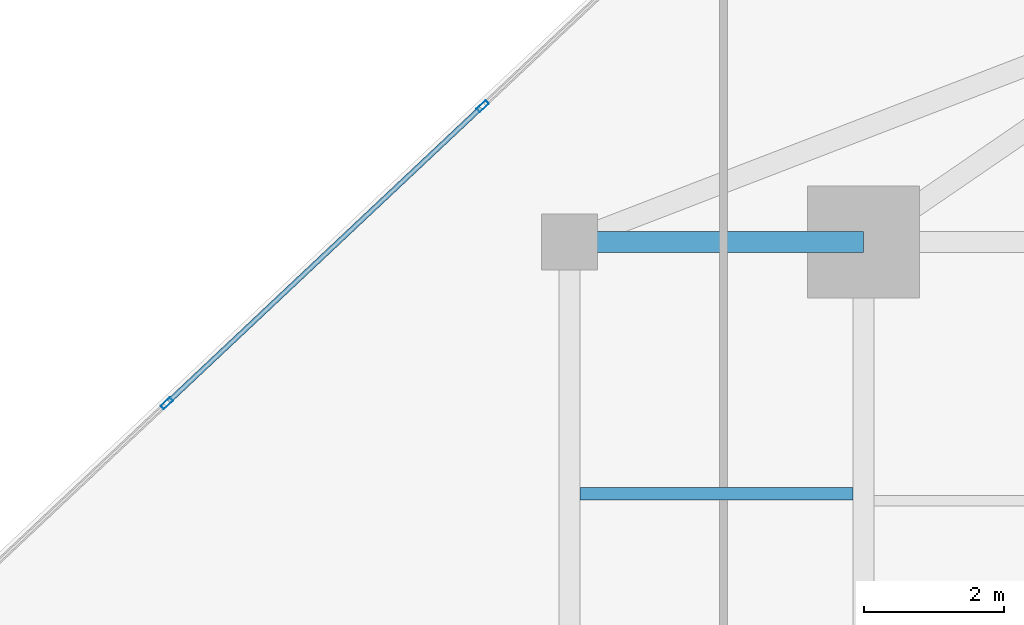
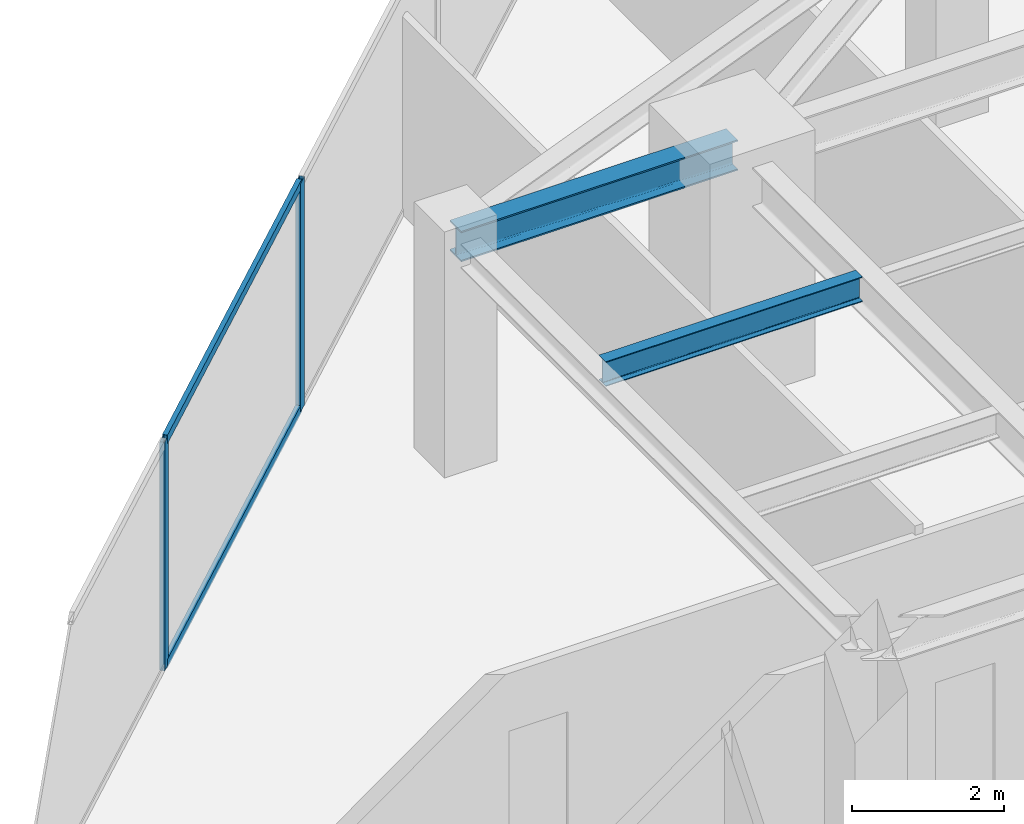
# One storey, part 13 of 25: 4 members, 2 beams, 1 element without a shape of its own.
"""IFC4 building model written with IfcOpenShell, lengths in metres."""

from ifc_helpers import new_model, si_unit, direction, frame, origin, origin_2d, place, context, subcontext, project, spatial, hollow_rectangle, i_section, extrude, source, transform, mapped, material, material_profile, profile_set, type_object, type_shapes, element, aggregate, save


model = new_model("IFC4")

# Units and contexts
model_context = context("Model", 3, precision=1e-05, world=origin(), true_north=direction((0.0, 1.0)))
body_context = subcontext(model_context, "Body", "Model", "MODEL_VIEW")
ifc_project = project(units=[si_unit("LENGTHUNIT", "METRE"), si_unit("AREAUNIT", "SQUARE_METRE"), si_unit("VOLUMEUNIT", "CUBIC_METRE"), si_unit("PLANEANGLEUNIT", "RADIAN"), si_unit("MASSUNIT", "GRAM", prefix="KILO")], contexts=[model_context])

# Site, building, storey
site_placement = place(None, origin())
site = spatial("IfcSite", under=ifc_project, at=site_placement, CompositionType="ELEMENT")
building_placement = place(site_placement, origin())
building = spatial("IfcBuilding", under=site, at=building_placement, Name="Krantzveldt Concourse Tower", CompositionType="ELEMENT")
storey_placement = place(building_placement, frame((0.0, 0.0, 238.89990234375)))
storey = spatial("IfcBuildingStorey", under=building, at=storey_placement, Name="L58", CompositionType="ELEMENT", Elevation=238.89990234375)

# Beams
ifc_material_1 = material(Name="Steel S355JR", Category="steel")
ifc_material_profile_1 = material_profile(ifc_material_1, i_section(OverallWidth=0.300048828125, OverallDepth=0.489990234375, WebThickness=0.011962890625, FlangeThickness=0.02294921875, FilletRadius=0.027099609375, at=origin_2d()), Name="Steel S355JR", Category="steel")
ifc_profile_set_1 = profile_set([ifc_material_profile_1], Name="Steel S355JR - HEA 500")
beam_type_1 = type_object("IfcBeamType", Name="BM-B-HEA500", PredefinedType="BEAM", material=ifc_profile_set_1)
shared_shape_1 = source(origin(), body_context, "Body", "SweptSolid", [
    extrude(i_section(OverallWidth=0.300048828125, OverallDepth=0.489990234375, WebThickness=0.011962890625, FlangeThickness=0.02294921875, FilletRadius=0.027099609375, at=origin_2d()), origin(), (0.0, 0.0, 1.0), 4.199951171875),
])
type_shapes(beam_type_1, [shared_shape_1])
beam_1_placement = place(storey_placement, frame((21.0, 37.5, 3.425048828125), z_axis=(1.0, 0.0, 0.0), x_axis=(0.0, 1.0, 0.0)))
element("IfcBeam", 1, at=beam_1_placement, inside=storey, type_object=beam_type_1, Name="L58 Tower Girder BR-RL3", PredefinedType="BEAM", context=body_context, shape_type="MappedRepresentation", body=[
    mapped(shared_shape_1, transform((0.0, 0.0, 0.0), x_axis=(1.0, 0.0, 0.0), y_axis=(0.0, 1.0, 0.0), z_axis=(0.0, 0.0, 1.0), scale=1.0)),
])
ifc_material_profile_2 = material_profile(ifc_material_1, i_section(OverallWidth=0.179931640625, OverallDepth=0.39990234375, WebThickness=0.008544921875, FlangeThickness=0.013427734375, FilletRadius=0.02099609375, at=origin_2d()), Name="Steel S355JR", Category="steel")
ifc_profile_set_2 = profile_set([ifc_material_profile_2], Name="Steel S355JR - IPE 400")
beam_type_2 = type_object("IfcBeamType", Name="BM-J-IPE400", PredefinedType="JOIST", material=ifc_profile_set_2)
shared_shape_2 = source(origin(), body_context, "Body", "SweptSolid", [
    extrude(i_section(OverallWidth=0.179931640625, OverallDepth=0.39990234375, WebThickness=0.008544921875, FlangeThickness=0.013427734375, FilletRadius=0.02099609375, at=origin_2d()), origin(), (0.0, 0.0, 1.0), 3.900146484375),
])
type_shapes(beam_type_2, [shared_shape_2])
beam_2_placement = place(storey_placement, frame((21.14990234375, 33.89990234375, 3.47021484375), z_axis=(1.0, 0.0, 0.0), x_axis=(0.0, 1.0, 0.0)))
element("IfcBeam", 2, at=beam_2_placement, inside=storey, type_object=beam_type_2, Name="L58 Secondary Floor Joist JW-4", PredefinedType="JOIST", context=body_context, shape_type="MappedRepresentation", body=[
    mapped(shared_shape_2, transform((0.0, 0.0, 0.0), x_axis=(1.0, 0.0, 0.0), y_axis=(0.0, 1.0, 0.0), z_axis=(0.0, 0.0, 1.0), scale=1.0)),
])

# Curtain wall, members
ifc_material_2 = material(Name="Anodised aluminium 6063-T6", Category="aluminium")
curtain_wall_type = type_object("IfcCurtainWallType", Name="CW3", PredefinedType="USERDEFINED", material=ifc_material_2)
curtain_wall_placement = place(storey_placement, origin())
curtain_wall = element("IfcCurtainWall", 3, at=curtain_wall_placement, inside=storey, type_object=curtain_wall_type, Name="CW-L58-F01", ObjectType="UNITISED CURTAIN WALL", PredefinedType="USERDEFINED")
ifc_material_profile_3 = material_profile(ifc_material_2, hollow_rectangle(XDim=0.070068359375, YDim=0.179931640625, WallThickness=0.0048828125, at=origin_2d()), Name="Anodised aluminium 6063-T6", Category="aluminium")
ifc_profile_set_3 = profile_set([ifc_material_profile_3], Name="Anodised aluminium 6063-T6 - ALU-MULL 180x70x5")
member_type_1 = type_object("IfcMemberType", Name="CW-MUL-180", PredefinedType="MULLION", material=ifc_profile_set_3)
shared_shape_3 = source(origin(), body_context, "Body", "SweptSolid", [
    extrude(hollow_rectangle(XDim=0.070068359375, YDim=0.179931640625, WallThickness=0.0048828125, at=origin_2d()), origin(), (0.0, 0.0, 1.0), 3.670166015625),
])
type_shapes(member_type_1, [shared_shape_3])
member_1_placement = place(storey_placement, frame((19.757568359375, 39.44189453125, 0.0), z_axis=(0.0, 0.0, 1.0), x_axis=(0.685182945184, -0.728371012348, 0.0)))
member_1 = element("IfcMember", 4, at=member_1_placement, type_object=member_type_1, Name="CW-Z34 mullion 4", PredefinedType="MULLION", context=body_context, shape_type="MappedRepresentation", body=[
    mapped(shared_shape_3, transform((0.0, 0.0, 0.0), x_axis=(1.0, 0.0, 0.0), y_axis=(0.0, 1.0, 0.0), z_axis=(0.0, 0.0, 1.0), scale=1.0)),
])
member_2_placement = place(storey_placement, frame((15.241455078125, 35.19384765625, 0.0), z_axis=(0.0, 0.0, 1.0), x_axis=(0.685182945184, -0.728371012348, 0.0)))
member_2 = element("IfcMember", 5, at=member_2_placement, type_object=member_type_1, Name="CW-Z34 mullion 5", PredefinedType="MULLION", context=body_context, shape_type="MappedRepresentation", body=[
    mapped(shared_shape_3, transform((0.0, 0.0, 0.0), x_axis=(1.0, 0.0, 0.0), y_axis=(0.0, 1.0, 0.0), z_axis=(0.0, 0.0, 1.0), scale=1.0)),
])
ifc_material_profile_4 = material_profile(ifc_material_2, hollow_rectangle(XDim=0.070068359375, YDim=0.139892578125, WallThickness=0.0048828125, at=origin_2d()), Name="Anodised aluminium 6063-T6", Category="aluminium")
ifc_profile_set_4 = profile_set([ifc_material_profile_4], Name="Anodised aluminium 6063-T6 - ALU-TRAN 140x70x5")
member_type_2 = type_object("IfcMemberType", Name="CW-TRN-150", PredefinedType="USERDEFINED", material=ifc_profile_set_4)
shared_shape_4 = source(origin(), body_context, "Body", "SweptSolid", [
    extrude(hollow_rectangle(XDim=0.070068359375, YDim=0.139892578125, WallThickness=0.0048828125, at=origin_2d()), origin(), (0.0, 0.0, 1.0), 6.1298828125),
])
type_shapes(member_type_2, [shared_shape_4])
member_3_placement = place(storey_placement, frame((19.73193359375, 39.41796875, 0.03515625), z_axis=(-0.72836366623, -0.685190754255, 0.0), x_axis=(0.685190754255, -0.72836366623, 0.0)))
member_3 = element("IfcMember", 6, at=member_3_placement, type_object=member_type_2, Name="CW-Z34 transom 4.1", ObjectType="TRANSOM", PredefinedType="USERDEFINED", context=body_context, shape_type="MappedRepresentation", body=[
    mapped(shared_shape_4, transform((0.0, 0.0, 0.0), x_axis=(1.0, 0.0, 0.0), y_axis=(0.0, 1.0, 0.0), z_axis=(0.0, 0.0, 1.0), scale=1.0)),
])
member_4_placement = place(storey_placement, frame((19.73193359375, 39.41796875, 3.635009765625), z_axis=(-0.72836366623, -0.685190754255, 0.0), x_axis=(0.685190754255, -0.72836366623, 0.0)))
member_4 = element("IfcMember", 7, at=member_4_placement, type_object=member_type_2, Name="CW-Z34 transom 4.2", ObjectType="TRANSOM", PredefinedType="USERDEFINED", context=body_context, shape_type="MappedRepresentation", body=[
    mapped(shared_shape_4, transform((0.0, 0.0, 0.0), x_axis=(1.0, 0.0, 0.0), y_axis=(0.0, 1.0, 0.0), z_axis=(0.0, 0.0, 1.0), scale=1.0)),
])
aggregate(curtain_wall, [member_1, member_2, member_3, member_4])

save(model, "model.ifc")
